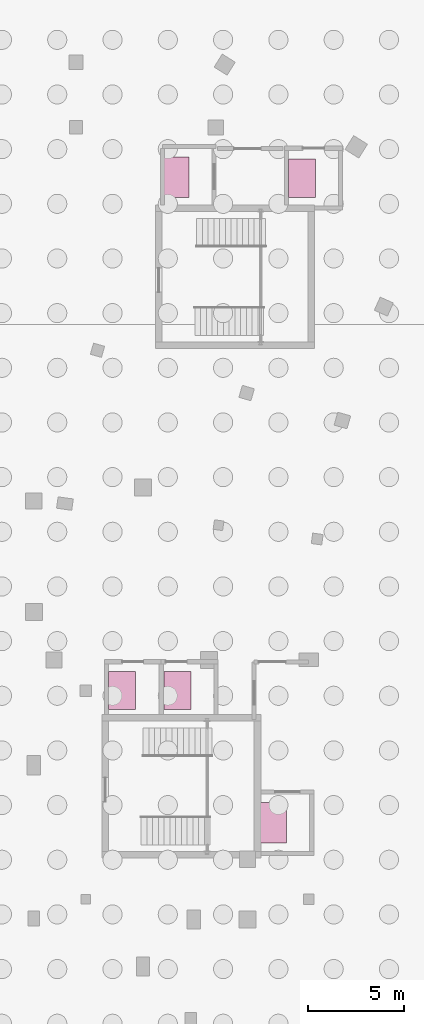
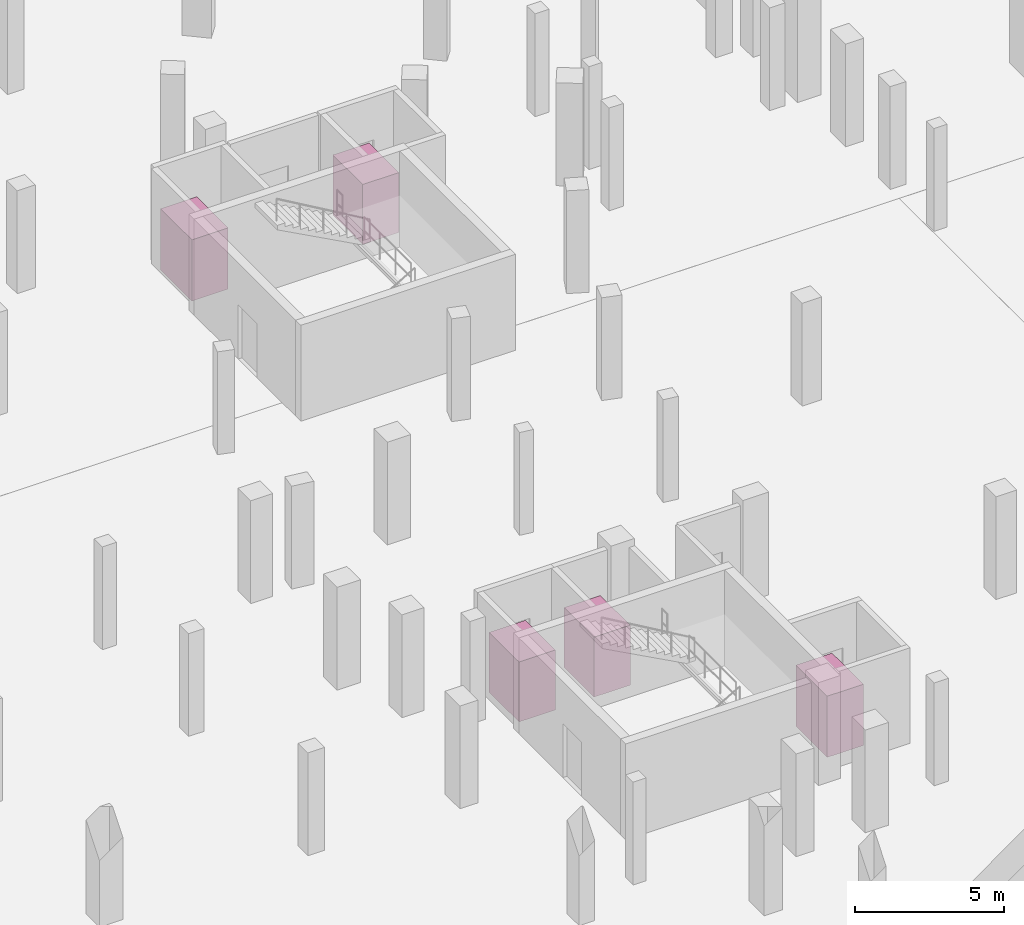
# One storey, part 36 of 36: 5 transport elements.
"""IFC4 building model written with IfcOpenShell, lengths in metres."""

import ifcopenshell
import ifcopenshell.guid

model = None  # the IFC model being written
_history = None  # IfcOwnerHistory: only IFC2X3 demands one
_inside = {}  # id of a spatial element -> (the spatial element, [elements in it])
_under = {}  # id of a project, library or spatial element -> (it, [spatial elements below it])
_declared = {}  # id of a project -> (the project, [libraries it declares])
_typed = {}  # id of a type object -> (the type object, [elements of that type])
_made_of = {}  # id of a material, layer set ... -> (it, [elements and type objects made of it])


def new_model(schema):
    """Start an empty IFC model of exactly this schema.

    Asked for "IFC4X3", IfcOpenShell would pick the latest addendum, in which some entities
    have other attributes; the version numbers below select the first issue.
    IFC2X3 requires an IfcOwnerHistory on every rooted entity: one is made here for all.
    """
    global model, _history
    if schema == "IFC4X3":
        model = ifcopenshell.file(schema_version=(4, 3, 0, 0))
    else:
        model = ifcopenshell.file(schema=schema)
    _inside.clear()
    _under.clear()
    _declared.clear()
    _typed.clear()
    _made_of.clear()
    _history = None
    if model.schema == "IFC2X3":
        org = make("IfcOrganization", Name="unknown")
        user = make(
            "IfcPersonAndOrganization",
            ThePerson=make("IfcPerson", FamilyName="unknown"),
            TheOrganization=org,
        )
        app = make(
            "IfcApplication",
            ApplicationDeveloper=org,
            Version="unknown",
            ApplicationFullName="unknown",
            ApplicationIdentifier="unknown",
        )
        _history = make(
            "IfcOwnerHistory",
            OwningUser=user,
            OwningApplication=app,
            ChangeAction="ADDED",
            CreationDate=0,
        )
    return model


def make(cls, **values):
    """One entity of the class cls with the attributes given. An attribute that is None is left unset."""
    return model.create_entity(
        cls, **{name: value for name, value in values.items() if value is not None}
    )


def rooted(cls, **values):
    """An entity with a GlobalId (a new one), such as an element, a storey or a relation."""
    return make(cls, GlobalId=ifcopenshell.guid.new(), OwnerHistory=_history, **values)


def si_unit(unit_type, name, prefix=None):
    """IfcSIUnit, for example si_unit("LENGTHUNIT", "METRE", prefix="MILLI")."""
    return make("IfcSIUnit", UnitType=unit_type, Prefix=prefix, Name=name)


def assignment(units):
    """IfcUnitAssignment: the units of a project."""
    return None if units is None else make("IfcUnitAssignment", Units=units)


def point(xyz):
    """IfcCartesianPoint."""
    return None if xyz is None else make("IfcCartesianPoint", Coordinates=xyz)


def direction(xyz):
    """IfcDirection."""
    return None if xyz is None else make("IfcDirection", DirectionRatios=xyz)


def frame(location, z_axis=None, x_axis=None):
    """IfcAxis2Placement3D, a coordinate frame: its origin and axes. An axis left out is left unset."""
    return make(
        "IfcAxis2Placement3D",
        Location=point(location),
        Axis=direction(z_axis),
        RefDirection=direction(x_axis),
    )


def frame_2d(location, x_axis=None):
    """IfcAxis2Placement2D, a coordinate frame in the plane: its origin and x axis."""
    return make(
        "IfcAxis2Placement2D", Location=point(location), RefDirection=direction(x_axis)
    )


def origin():
    """The frame at (0, 0, 0) with its axes left unset."""
    return frame((0.0, 0.0, 0.0))


def origin_2d():
    """The frame at (0, 0) in the plane with its x axis left unset."""
    return frame_2d((0.0, 0.0))


def place(relative_to, where):
    """IfcLocalPlacement: puts the frame where relative to a parent placement (None: the world)."""
    return make(
        "IfcLocalPlacement", PlacementRelTo=relative_to, RelativePlacement=where
    )


def context(
    kind, dimensions, precision=None, world=None, true_north=None, identifier=None
):
    """IfcGeometricRepresentationContext, for example the 3D "Model" context."""
    return make(
        "IfcGeometricRepresentationContext",
        ContextIdentifier=identifier,
        ContextType=kind,
        CoordinateSpaceDimension=dimensions,
        Precision=precision,
        WorldCoordinateSystem=world,
        TrueNorth=true_north,
    )


def subcontext(parent, identifier, kind, view, scale=None):
    """IfcGeometricRepresentationSubContext, for example "Body" below "Model"."""
    return make(
        "IfcGeometricRepresentationSubContext",
        ContextIdentifier=identifier,
        ContextType=kind,
        ParentContext=parent,
        TargetScale=scale,
        TargetView=view,
    )


def project(units=None, contexts=None):
    """IfcProject with its units and contexts."""
    return rooted(
        "IfcProject",
        Name="project",
        RepresentationContexts=contexts,
        UnitsInContext=assignment(units),
    )


def spatial(cls, under=None, at=None, **own):
    """A site, building, storey or space (cls), placed at a placement, below another one or the project."""
    s = rooted(cls, ObjectPlacement=at, **own)
    if under is not None:
        _under.setdefault(under.id(), (under, []))[1].append(s)
    return s


def profile(cls, at=None, kind="AREA", **sizes):
    """A parametric profile (cls). Its sizes go by their IFC names, for example OverallWidth=200.0."""
    return make(cls, ProfileType=kind, Position=at, **sizes)


def rectangle(**sizes):
    """IfcRectangleProfileDef."""
    return profile("IfcRectangleProfileDef", **sizes)


def extrude(swept, where, along, depth):
    """IfcExtrudedAreaSolid: the profile swept, set in the frame where, extruded along a direction by depth."""
    return make(
        "IfcExtrudedAreaSolid",
        SweptArea=swept,
        Position=where,
        ExtrudedDirection=direction(along),
        Depth=depth,
    )


def shape(context_of_items, identifier, shape_type, items):
    """IfcShapeRepresentation: the items that make up one representation, for example the "Body"."""
    return make(
        "IfcShapeRepresentation",
        ContextOfItems=context_of_items,
        RepresentationIdentifier=identifier,
        RepresentationType=shape_type,
        Items=items,
    )


def material(Name=None, Category=None):
    """IfcMaterial."""
    return make("IfcMaterial", Name=Name, Category=Category)


def made_of(thing, what):
    """Note that an element or type object is made of a material, layer set ...; save() writes the relation."""
    if what is not None:
        _made_of.setdefault(what.id(), (what, []))[1].append(thing)
    return thing


def type_object(cls, material=None, **own):
    """A type object (cls), such as IfcWallType, which elements share."""
    return made_of(rooted(cls, **own), material)


def element(
    cls,
    number,
    at=None,
    inside=None,
    cuts=None,
    type_object=None,
    material=None,
    context=None,
    identifier="Body",
    shape_type=None,
    held_by="IfcProductDefinitionShape",
    body=None,
    shapes=None,
    **own,
):
    """One element of the class cls, such as IfcWall. Its Tag is "e" and its number.

    at: its placement. inside: the storey or other place that contains it. cuts: it is an
    opening in that element (IfcRelVoidsElement). A single representation is given by context,
    identifier, shape_type and body (its items); several are given by shapes. held_by: the class
    of the entity that holds the representations. save() writes the other relations.
    """
    e = rooted(cls, Tag="e%d" % number, ObjectPlacement=at, **own)
    if body is not None:
        shapes = [shape(context, identifier, shape_type, body)]
    if shapes is not None:
        e.Representation = make(held_by, Representations=shapes)
    if inside is not None:
        _inside.setdefault(inside.id(), (inside, []))[1].append(e)
    if cuts is not None:
        rooted(
            "IfcRelVoidsElement", RelatingBuildingElement=cuts, RelatedOpeningElement=e
        )
    if type_object is not None:
        _typed.setdefault(type_object.id(), (type_object, []))[1].append(e)
    return made_of(e, material)


def aggregate(whole, parts):
    """IfcRelAggregates: a whole, such as a stair, and the parts it consists of."""
    return rooted("IfcRelAggregates", RelatingObject=whole, RelatedObjects=parts)


def save(model, path):
    """Write the relations noted so far, then the file.

    IfcRelAggregates (storeys below a building ...), IfcRelContainedInSpatialStructure (elements
    in a storey), IfcRelDefinesByType, IfcRelAssociatesMaterial and IfcRelDeclares: one each for
    every whole, place, type object, material and project.
    """
    for whole, parts in _under.values():
        aggregate(whole, parts)
    for where, things in _inside.values():
        rooted(
            "IfcRelContainedInSpatialStructure",
            RelatedElements=things,
            RelatingStructure=where,
        )
    for kind, things in _typed.values():
        rooted("IfcRelDefinesByType", RelatedObjects=things, RelatingType=kind)
    for what, things in _made_of.values():
        rooted("IfcRelAssociatesMaterial", RelatedObjects=things, RelatingMaterial=what)
    for by, libraries in _declared.values():
        rooted("IfcRelDeclares", RelatingContext=by, RelatedDefinitions=libraries)
    model.write(path)


model = new_model("IFC4")

# Units and contexts
model_context = context("Model", 3, precision=1e-05, world=origin(), true_north=direction((0.0, 1.0)))
body_context = subcontext(model_context, "Body", "Model", "MODEL_VIEW")
ifc_project = project(units=[si_unit("LENGTHUNIT", "METRE"), si_unit("AREAUNIT", "SQUARE_METRE"), si_unit("VOLUMEUNIT", "CUBIC_METRE"), si_unit("PLANEANGLEUNIT", "RADIAN"), si_unit("MASSUNIT", "GRAM", prefix="KILO"), si_unit("THERMODYNAMICTEMPERATUREUNIT", "KELVIN"), si_unit("POWERUNIT", "WATT")], contexts=[model_context])

# Site, building, storey
site_placement = place(None, origin())
site = spatial("IfcSite", under=ifc_project, at=site_placement, CompositionType="ELEMENT")
building_placement = place(site_placement, origin())
building = spatial("IfcBuilding", under=site, at=building_placement, Name="Solvatero Civic Police Headquarters", CompositionType="ELEMENT")
storey_placement = place(building_placement, frame((0.0, 0.0, -8.39990234375)))
storey = spatial("IfcBuildingStorey", under=building, at=storey_placement, Name="B02", CompositionType="ELEMENT", Elevation=-8.39990234375)

# Transport elements
ifc_material = material(Name="Brushed Stainless Steel", Category="steel")
transport_element_type_1 = type_object("IfcTransportElementType", Name="LFT-FF-1350", PredefinedType="ELEVATOR", material=ifc_material)
for number, where, z_axis, x_axis, name in (
    (1, (46.800048828125, 17.5, 0.0), (0.0, 0.0, 1.0), (1.0, 0.0, 0.0), "Firefighting Lift FL-01"),
    (2, (41.699951171875, 51.199951171875, 0.0), (0.0, 0.0, 1.0), (1.0, 0.0, 0.0), "Firefighting Lift FL-02"),
):
    element("IfcTransportElement", number, at=place(storey_placement, frame(where, z_axis=z_axis, x_axis=x_axis)), inside=storey, type_object=transport_element_type_1, Name=name, PredefinedType="ELEVATOR", context=body_context, shape_type="SweptSolid", body=[
        extrude(rectangle(XDim=1.39990234375, YDim=2.10009765625, at=origin_2d()), origin(), (0.0, 0.0, 1.0), 2.5),
    ])
transport_element_type_2 = type_object("IfcTransportElementType", Name="LFT-PAS-1275", PredefinedType="ELEVATOR", material=ifc_material)
for number, where, z_axis, x_axis, name in (
    (3, (38.89990234375, 24.39990234375, 0.0), (0.0, 0.0, 1.0), (1.0, 0.0, 0.0), "Operations Lift LP-01"),
    (4, (41.800048828125, 24.39990234375, 0.0), (0.0, 0.0, 1.0), (1.0, 0.0, 0.0), "Operations Lift LP-02"),
    (5, (48.300048828125, 51.14990234375, 0.0), (0.0, 0.0, 1.0), (1.0, 0.0, 0.0), "Operations Lift LP-03"),
):
    element("IfcTransportElement", number, at=place(storey_placement, frame(where, z_axis=z_axis, x_axis=x_axis)), inside=storey, type_object=transport_element_type_2, Name=name, PredefinedType="ELEVATOR", context=body_context, shape_type="SweptSolid", body=[
        extrude(rectangle(XDim=1.39990234375, YDim=2.0, at=origin_2d()), origin(), (0.0, 0.0, 1.0), 2.449951171875),
    ])

save(model, "model.ifc")
